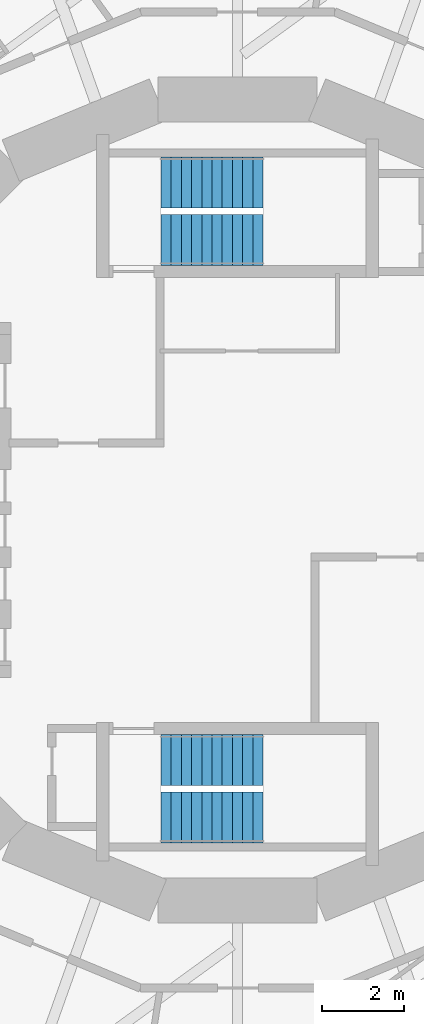
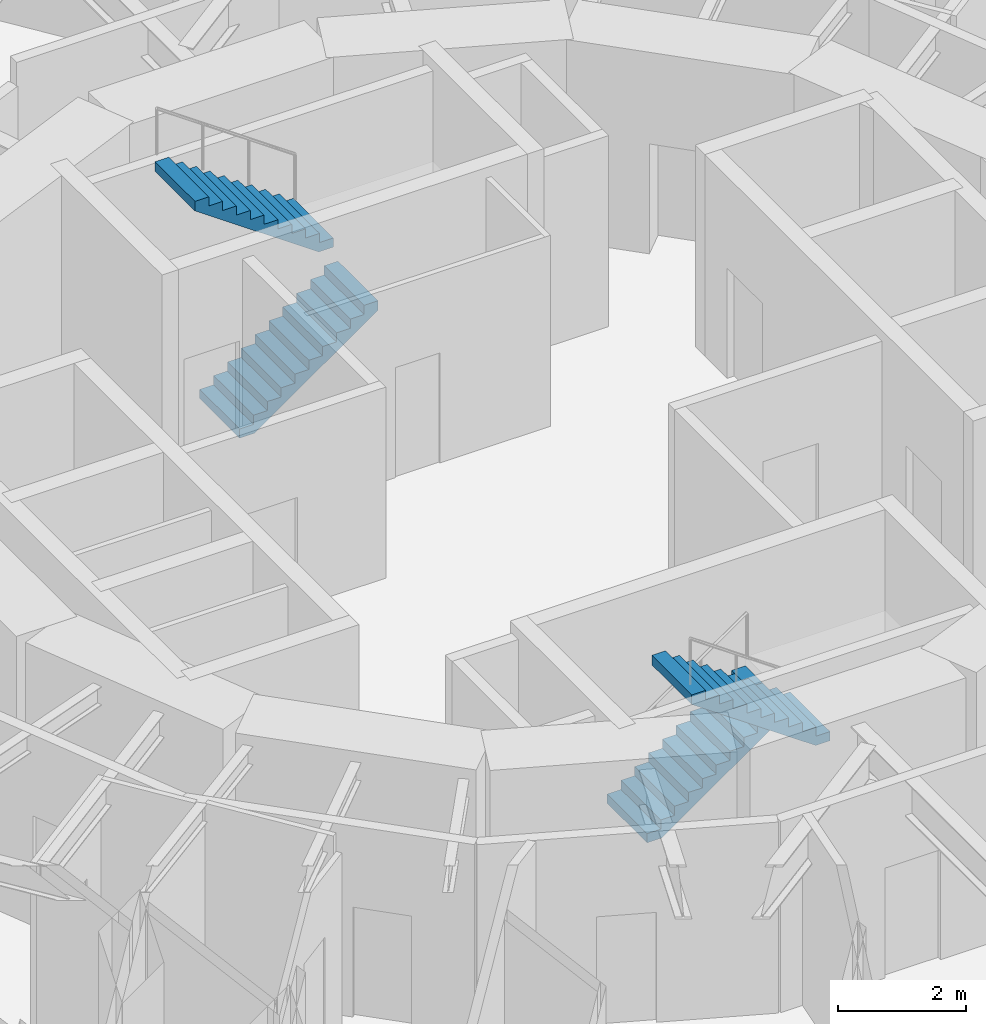
# One storey, part 8 of 9: 4 stair flights, 2 elements without a shape of their own.
"""IFC4 building model written with IfcOpenShell, lengths in metres."""

from ifc_helpers import new_model, si_unit, direction, frame, origin, place, context, subcontext, project, spatial, polyline, outline, extrude, material, type_object, element, aggregate, save


model = new_model("IFC4")

# Units and contexts
model_context = context("Model", 3, precision=1e-05, world=origin(), true_north=direction((0.0, 1.0)))
body_context = subcontext(model_context, "Body", "Model", "MODEL_VIEW")
ifc_project = project(units=[si_unit("LENGTHUNIT", "METRE"), si_unit("AREAUNIT", "SQUARE_METRE"), si_unit("VOLUMEUNIT", "CUBIC_METRE"), si_unit("PLANEANGLEUNIT", "RADIAN"), si_unit("MASSUNIT", "GRAM", prefix="KILO")], contexts=[model_context])

# Site, building, storey
site_placement = place(None, origin())
site = spatial("IfcSite", under=ifc_project, at=site_placement, CompositionType="ELEMENT")
building_placement = place(site_placement, origin())
building = spatial("IfcBuilding", under=site, at=building_placement, Name="Nakasero Lantern House", CompositionType="ELEMENT")
storey_placement = place(building_placement, frame((0.0, 0.0, 263.75)))
storey = spatial("IfcBuildingStorey", under=building, at=storey_placement, Name="L64", CompositionType="ELEMENT", Elevation=263.75)

# Stair, stair flights
ifc_material_1 = material(Name="Concrete C40/50", Category="concrete")
stair_type_1 = type_object("IfcStairType", Name="Escape stair ST1 22 risers", PredefinedType="HALF_TURN_STAIR", material=ifc_material_1)
stair_1_placement = place(storey_placement, origin())
stair_1 = element("IfcStair", 1, at=stair_1_placement, inside=storey, type_object=stair_type_1, Name="Escape stair ST1 L64", PredefinedType="HALF_TURN_STAIR")
ifc_material_2 = material(Name="Concrete C40/50", Category="concrete")
stair_flight_type = type_object("IfcStairFlightType", Name="Escape stair flight", PredefinedType="STRAIGHT", material=ifc_material_2)
stair_flight_1_placement = place(storey_placement, frame((-1.875, 6.375, 0.0), z_axis=(0.0, 0.0, 1.0), x_axis=(1.0, 0.0, 0.0)))
stair_flight_1 = element("IfcStairFlight", 2, at=stair_flight_1_placement, type_object=stair_flight_type, Name="ST1 flight 1", NumberOfRisers=11, NumberOfTreads=10, PredefinedType="STRAIGHT", RiserHeight=0.175, TreadLength=0.25, context=body_context, shape_type="SweptSolid", body=[
    extrude(outline(polyline([(0.0, 0.0), (0.0, 0.175048828125), (0.25, 0.175048828125), (0.25, 0.35009765625), (0.5, 0.35009765625), (0.5, 0.52490234375), (0.75, 0.52490234375), (0.75, 0.699951171875), (1.0, 0.699951171875), (1.0, 0.875), (1.25, 0.875), (1.25, 1.050048828125), (1.5, 1.050048828125), (1.5, 1.22509765625), (1.75, 1.22509765625), (1.75, 1.39990234375), (2.0, 1.39990234375), (2.0, 1.574951171875), (2.25, 1.574951171875), (2.25, 1.75), (2.5, 1.75), (2.5, 1.925048828125), (2.5, 1.567138671875), (0.261474609375, 0.0), (0.0, 0.0)])), frame((0.0, 0.625, 0.0), z_axis=(0.0, -1.0, 0.0), x_axis=(1.0, 0.0, 0.0)), (0.0, 0.0, 1.0), 1.25),
])
stair_flight_2_placement = place(storey_placement, frame((0.625, 7.77490234375, 1.925048828125), z_axis=(0.0, 0.0, 1.0), x_axis=(-1.0, 0.0, 0.0)))
stair_flight_2 = element("IfcStairFlight", 3, at=stair_flight_2_placement, type_object=stair_flight_type, Name="ST1 flight 2", NumberOfRisers=11, NumberOfTreads=10, PredefinedType="STRAIGHT", RiserHeight=0.175, TreadLength=0.25, context=body_context, shape_type="SweptSolid", body=[
    extrude(outline(polyline([(0.0, 0.0), (0.0, 0.175048828125), (0.25, 0.175048828125), (0.25, 0.35009765625), (0.5, 0.35009765625), (0.5, 0.52490234375), (0.75, 0.52490234375), (0.75, 0.699951171875), (1.0, 0.699951171875), (1.0, 0.875), (1.25, 0.875), (1.25, 1.050048828125), (1.5, 1.050048828125), (1.5, 1.22509765625), (1.75, 1.22509765625), (1.75, 1.39990234375), (2.0, 1.39990234375), (2.0, 1.574951171875), (2.25, 1.574951171875), (2.25, 1.75), (2.5, 1.75), (2.5, 1.925048828125), (2.5, 1.567138671875), (0.261474609375, 0.0), (0.0, 0.0)])), frame((0.0, 0.625, 0.0), z_axis=(0.0, -1.0, 0.0), x_axis=(1.0, 0.0, 0.0)), (0.0, 0.0, 1.0), 1.25),
])
aggregate(stair_1, [stair_flight_1, stair_flight_2])

ifc_material_3 = material(Name="Concrete C40/50", Category="concrete")
stair_type_2 = type_object("IfcStairType", Name="Escape stair ST2 22 risers", PredefinedType="HALF_TURN_STAIR", material=ifc_material_3)
stair_2_placement = place(storey_placement, origin())
stair_2 = element("IfcStair", 4, at=stair_2_placement, inside=storey, type_object=stair_type_2, Name="Escape stair ST2 L64", PredefinedType="HALF_TURN_STAIR")
stair_flight_3_placement = place(storey_placement, frame((-1.875, -6.375, 0.0), z_axis=(0.0, 0.0, 1.0), x_axis=(1.0, 0.0, 0.0)))
stair_flight_3 = element("IfcStairFlight", 5, at=stair_flight_3_placement, type_object=stair_flight_type, Name="ST2 flight 1", NumberOfRisers=11, NumberOfTreads=10, PredefinedType="STRAIGHT", RiserHeight=0.175, TreadLength=0.25, context=body_context, shape_type="SweptSolid", body=[
    extrude(outline(polyline([(0.0, 0.0), (0.0, 0.175048828125), (0.25, 0.175048828125), (0.25, 0.35009765625), (0.5, 0.35009765625), (0.5, 0.52490234375), (0.75, 0.52490234375), (0.75, 0.699951171875), (1.0, 0.699951171875), (1.0, 0.875), (1.25, 0.875), (1.25, 1.050048828125), (1.5, 1.050048828125), (1.5, 1.22509765625), (1.75, 1.22509765625), (1.75, 1.39990234375), (2.0, 1.39990234375), (2.0, 1.574951171875), (2.25, 1.574951171875), (2.25, 1.75), (2.5, 1.75), (2.5, 1.925048828125), (2.5, 1.567138671875), (0.261474609375, 0.0), (0.0, 0.0)])), frame((0.0, 0.625, 0.0), z_axis=(0.0, -1.0, 0.0), x_axis=(1.0, 0.0, 0.0)), (0.0, 0.0, 1.0), 1.25),
])
stair_flight_4_placement = place(storey_placement, frame((0.625, -7.77490234375, 1.925048828125), z_axis=(0.0, 0.0, 1.0), x_axis=(-1.0, 0.0, 0.0)))
stair_flight_4 = element("IfcStairFlight", 6, at=stair_flight_4_placement, type_object=stair_flight_type, Name="ST2 flight 2", NumberOfRisers=11, NumberOfTreads=10, PredefinedType="STRAIGHT", RiserHeight=0.175, TreadLength=0.25, context=body_context, shape_type="SweptSolid", body=[
    extrude(outline(polyline([(0.0, 0.0), (0.0, 0.175048828125), (0.25, 0.175048828125), (0.25, 0.35009765625), (0.5, 0.35009765625), (0.5, 0.52490234375), (0.75, 0.52490234375), (0.75, 0.699951171875), (1.0, 0.699951171875), (1.0, 0.875), (1.25, 0.875), (1.25, 1.050048828125), (1.5, 1.050048828125), (1.5, 1.22509765625), (1.75, 1.22509765625), (1.75, 1.39990234375), (2.0, 1.39990234375), (2.0, 1.574951171875), (2.25, 1.574951171875), (2.25, 1.75), (2.5, 1.75), (2.5, 1.925048828125), (2.5, 1.567138671875), (0.261474609375, 0.0), (0.0, 0.0)])), frame((0.0, 0.625, 0.0), z_axis=(0.0, -1.0, 0.0), x_axis=(1.0, 0.0, 0.0)), (0.0, 0.0, 1.0), 1.25),
])
aggregate(stair_2, [stair_flight_3, stair_flight_4])

save(model, "model.ifc")
